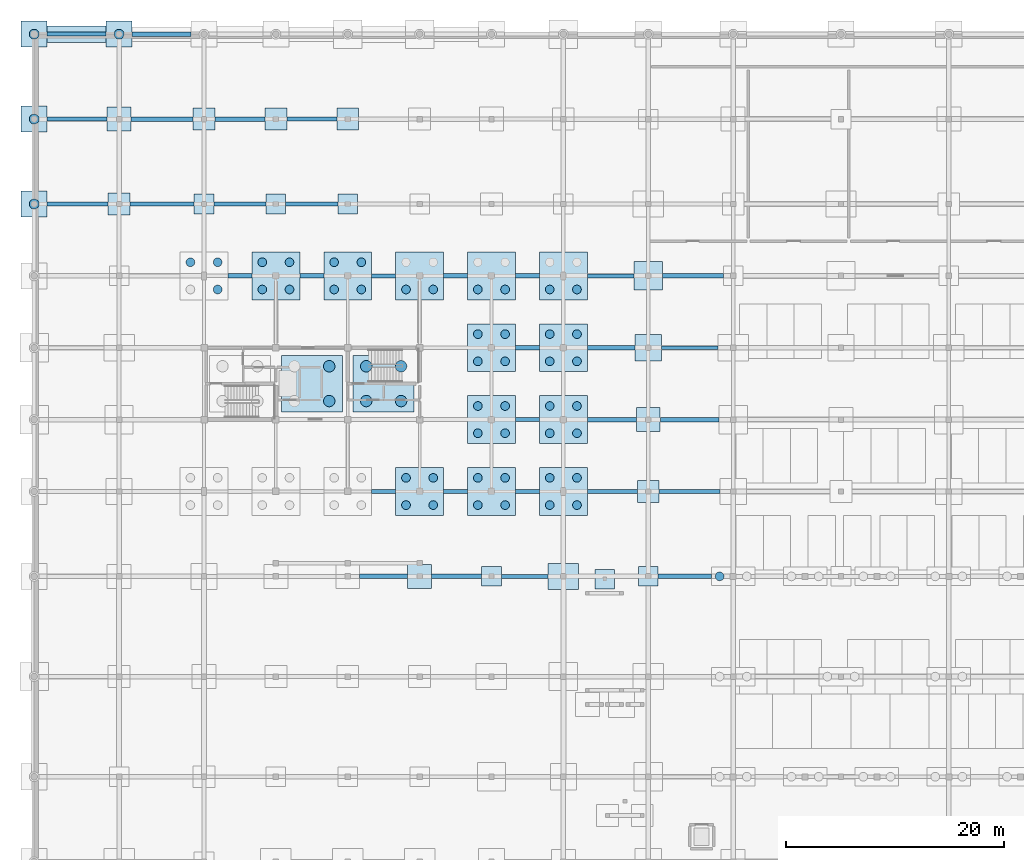
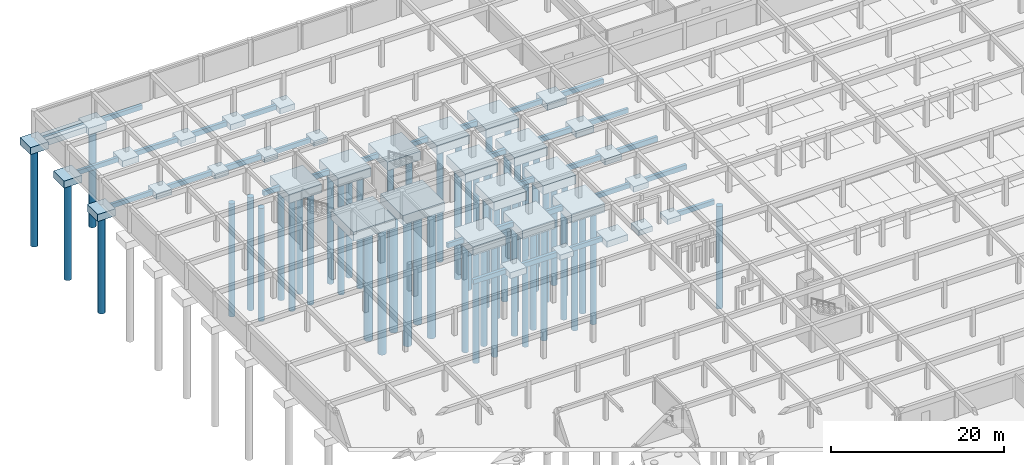
# One storey, part 5 of 37: 68 footings, 56 piles.
"""IFC4 building model written with IfcOpenShell, lengths in metres."""

from ifc_helpers import new_model, si_unit, direction, frame, origin, origin_2d, place, context, subcontext, project, spatial, rectangle, circle, extrude, material, material_profile, profile_set, type_object, element, save


model = new_model("IFC4")

# Units and contexts
model_context = context("Model", 3, precision=1e-05, world=origin(), true_north=direction((0.0, 1.0)))
body_context = subcontext(model_context, "Body", "Model", "MODEL_VIEW")
ifc_project = project(units=[si_unit("LENGTHUNIT", "METRE"), si_unit("AREAUNIT", "SQUARE_METRE"), si_unit("VOLUMEUNIT", "CUBIC_METRE"), si_unit("PLANEANGLEUNIT", "RADIAN"), si_unit("MASSUNIT", "GRAM", prefix="KILO")], contexts=[model_context])

# Site, building, storey
site_placement = place(None, origin())
site = spatial("IfcSite", under=ifc_project, at=site_placement, CompositionType="ELEMENT")
building_placement = place(site_placement, origin())
building = spatial("IfcBuilding", under=site, at=building_placement, Name="Kernevlak Ridge Housing Community", CompositionType="ELEMENT")
storey_placement = place(building_placement, frame((0.0, 0.0, -3.800048828125)))
storey = spatial("IfcBuildingStorey", under=building, at=storey_placement, Name="B1", CompositionType="ELEMENT", Elevation=-3.800048828125)

# Piles
ifc_material = material(Name="Concrete C35/45", Category="concrete")
ifc_material_profile_1 = material_profile(ifc_material, circle(Radius=0.39990234375, at=origin_2d()), Name="BORED PILE 800")
ifc_profile_set_1 = profile_set([ifc_material_profile_1], Name="Concrete C35/45")
pile_type_1 = type_object("IfcPileType", Name="BP-01", PredefinedType="BORED", material=ifc_profile_set_1)
for number, where, z_axis, x_axis, name in (
    (1, (16.85009765625, 94.550048828125, -1.599853515625), (0.0, 0.0, -1.0), (1.0, 0.0, 0.0), "Bored pile BP-01 PILE-0078"),
    (2, (14.35009765625, 97.050048828125, -1.599853515625), (0.0, 0.0, -1.0), (1.0, 0.0, 0.0), "Bored pile BP-01 PILE-0079"),
    (3, (16.85009765625, 97.050048828125, -1.599853515625), (0.0, 0.0, -1.0), (1.0, 0.0, 0.0), "Bored pile BP-01 PILE-0080"),
    (4, (20.949951171875, 94.550048828125, -1.599853515625), (0.0, 0.0, -1.0), (1.0, 0.0, 0.0), "Bored pile BP-01 PILE-0091"),
    (5, (23.449951171875, 94.550048828125, -1.599853515625), (0.0, 0.0, -1.0), (1.0, 0.0, 0.0), "Bored pile BP-01 PILE-0092"),
    (6, (20.949951171875, 97.050048828125, -1.599853515625), (0.0, 0.0, -1.0), (1.0, 0.0, 0.0), "Bored pile BP-01 PILE-0093"),
    (7, (23.449951171875, 97.050048828125, -1.599853515625), (0.0, 0.0, -1.0), (1.0, 0.0, 0.0), "Bored pile BP-01 PILE-0094"),
    (8, (27.550048828125, 94.550048828125, -1.599853515625), (0.0, 0.0, -1.0), (1.0, 0.0, 0.0), "Bored pile BP-01 PILE-0105"),
    (9, (30.050048828125, 94.550048828125, -1.599853515625), (0.0, 0.0, -1.0), (1.0, 0.0, 0.0), "Bored pile BP-01 PILE-0106"),
    (10, (27.550048828125, 97.050048828125, -1.599853515625), (0.0, 0.0, -1.0), (1.0, 0.0, 0.0), "Bored pile BP-01 PILE-0107"),
    (11, (30.050048828125, 97.050048828125, -1.599853515625), (0.0, 0.0, -1.0), (1.0, 0.0, 0.0), "Bored pile BP-01 PILE-0108"),
    (12, (34.14990234375, 74.75, -1.599853515625), (0.0, 0.0, -1.0), (1.0, 0.0, 0.0), "Bored pile BP-01 PILE-0115"),
    (13, (36.64990234375, 74.75, -1.599853515625), (0.0, 0.0, -1.0), (1.0, 0.0, 0.0), "Bored pile BP-01 PILE-0116"),
    (14, (34.14990234375, 77.25, -1.599853515625), (0.0, 0.0, -1.0), (1.0, 0.0, 0.0), "Bored pile BP-01 PILE-0117"),
    (15, (36.64990234375, 77.25, -1.599853515625), (0.0, 0.0, -1.0), (1.0, 0.0, 0.0), "Bored pile BP-01 PILE-0118"),
    (16, (34.14990234375, 94.550048828125, -1.599853515625), (0.0, 0.0, -1.0), (1.0, 0.0, 0.0), "Bored pile BP-01 PILE-0119"),
    (17, (36.64990234375, 94.550048828125, -1.599853515625), (0.0, 0.0, -1.0), (1.0, 0.0, 0.0), "Bored pile BP-01 PILE-0120"),
    (18, (40.75, 74.75, -1.599853515625), (0.0, 0.0, -1.0), (1.0, 0.0, 0.0), "Bored pile BP-01 PILE-0133"),
    (19, (43.25, 74.75, -1.599853515625), (0.0, 0.0, -1.0), (1.0, 0.0, 0.0), "Bored pile BP-01 PILE-0134"),
    (20, (40.75, 77.25, -1.599853515625), (0.0, 0.0, -1.0), (1.0, 0.0, 0.0), "Bored pile BP-01 PILE-0135"),
    (21, (43.25, 77.25, -1.599853515625), (0.0, 0.0, -1.0), (1.0, 0.0, 0.0), "Bored pile BP-01 PILE-0136"),
    (22, (40.75, 81.35009765625, -1.599853515625), (0.0, 0.0, -1.0), (1.0, 0.0, 0.0), "Bored pile BP-01 PILE-0137"),
    (23, (43.25, 81.35009765625, -1.599853515625), (0.0, 0.0, -1.0), (1.0, 0.0, 0.0), "Bored pile BP-01 PILE-0138"),
    (24, (40.75, 83.85009765625, -1.599853515625), (0.0, 0.0, -1.0), (1.0, 0.0, 0.0), "Bored pile BP-01 PILE-0139"),
    (25, (43.25, 83.85009765625, -1.599853515625), (0.0, 0.0, -1.0), (1.0, 0.0, 0.0), "Bored pile BP-01 PILE-0140"),
    (26, (40.75, 87.949951171875, -1.599853515625), (0.0, 0.0, -1.0), (1.0, 0.0, 0.0), "Bored pile BP-01 PILE-0141"),
    (27, (43.25, 87.949951171875, -1.599853515625), (0.0, 0.0, -1.0), (1.0, 0.0, 0.0), "Bored pile BP-01 PILE-0142"),
    (28, (40.75, 90.449951171875, -1.599853515625), (0.0, 0.0, -1.0), (1.0, 0.0, 0.0), "Bored pile BP-01 PILE-0143"),
    (29, (43.25, 90.449951171875, -1.599853515625), (0.0, 0.0, -1.0), (1.0, 0.0, 0.0), "Bored pile BP-01 PILE-0144"),
    (30, (40.75, 94.550048828125, -1.599853515625), (0.0, 0.0, -1.0), (1.0, 0.0, 0.0), "Bored pile BP-01 PILE-0145"),
    (31, (43.25, 94.550048828125, -1.599853515625), (0.0, 0.0, -1.0), (1.0, 0.0, 0.0), "Bored pile BP-01 PILE-0146"),
    (32, (47.35009765625, 74.75, -1.599853515625), (0.0, 0.0, -1.0), (1.0, 0.0, 0.0), "Bored pile BP-01 PILE-0151"),
    (33, (49.85009765625, 74.75, -1.599853515625), (0.0, 0.0, -1.0), (1.0, 0.0, 0.0), "Bored pile BP-01 PILE-0152"),
    (34, (47.35009765625, 77.25, -1.599853515625), (0.0, 0.0, -1.0), (1.0, 0.0, 0.0), "Bored pile BP-01 PILE-0153"),
    (35, (49.85009765625, 77.25, -1.599853515625), (0.0, 0.0, -1.0), (1.0, 0.0, 0.0), "Bored pile BP-01 PILE-0154"),
    (36, (47.35009765625, 81.35009765625, -1.599853515625), (0.0, 0.0, -1.0), (1.0, 0.0, 0.0), "Bored pile BP-01 PILE-0155"),
    (37, (49.85009765625, 81.35009765625, -1.599853515625), (0.0, 0.0, -1.0), (1.0, 0.0, 0.0), "Bored pile BP-01 PILE-0156"),
    (38, (47.35009765625, 83.85009765625, -1.599853515625), (0.0, 0.0, -1.0), (1.0, 0.0, 0.0), "Bored pile BP-01 PILE-0157"),
    (39, (49.85009765625, 83.85009765625, -1.599853515625), (0.0, 0.0, -1.0), (1.0, 0.0, 0.0), "Bored pile BP-01 PILE-0158"),
    (40, (47.35009765625, 87.949951171875, -1.599853515625), (0.0, 0.0, -1.0), (1.0, 0.0, 0.0), "Bored pile BP-01 PILE-0159"),
    (41, (49.85009765625, 87.949951171875, -1.599853515625), (0.0, 0.0, -1.0), (1.0, 0.0, 0.0), "Bored pile BP-01 PILE-0160"),
    (42, (47.35009765625, 90.449951171875, -1.599853515625), (0.0, 0.0, -1.0), (1.0, 0.0, 0.0), "Bored pile BP-01 PILE-0161"),
    (43, (49.85009765625, 90.449951171875, -1.599853515625), (0.0, 0.0, -1.0), (1.0, 0.0, 0.0), "Bored pile BP-01 PILE-0162"),
    (44, (47.35009765625, 94.550048828125, -1.599853515625), (0.0, 0.0, -1.0), (1.0, 0.0, 0.0), "Bored pile BP-01 PILE-0163"),
    (45, (49.85009765625, 94.550048828125, -1.599853515625), (0.0, 0.0, -1.0), (1.0, 0.0, 0.0), "Bored pile BP-01 PILE-0164"),
):
    element("IfcPile", number, at=place(storey_placement, frame(where, z_axis=z_axis, x_axis=x_axis)), inside=storey, type_object=pile_type_1, Name=name, PredefinedType="BORED", context=body_context, shape_type="SweptSolid", body=[
        extrude(circle(Radius=0.39990234375, at=origin_2d()), origin(), (0.0, 0.0, 1.0), 16.0),
    ])
pile_placement = place(storey_placement, frame((62.949951171875, 68.199951171875, -1.5), z_axis=(0.0, 0.0, -1.0), x_axis=(1.0, 0.0, 0.0)))
element("IfcPile", 46, at=pile_placement, inside=storey, type_object=pile_type_1, Name="Bored pile BP-01 PILE-0175", PredefinedType="BORED", context=body_context, shape_type="SweptSolid", body=[
    extrude(circle(Radius=0.39990234375, at=origin_2d()), origin(), (0.0, 0.0, 1.0), 14.5),
])
ifc_material_profile_2 = material_profile(ifc_material, circle(Radius=0.449951171875, at=origin_2d()), Name="BORED PILE 900")
ifc_profile_set_2 = profile_set([ifc_material_profile_2], Name="Concrete C35/45")
pile_type_2 = type_object("IfcPileType", Name="BP-02", PredefinedType="BORED", material=ifc_profile_set_2)
for number, where, z_axis, x_axis, name in (
    (47, (0.0, 102.39990234375, -1.349853515625), (0.0, 0.0, -1.0), (1.0, 0.0, 0.0), "Bored pile BP-02 PILE-0063"),
    (48, (0.0, 110.199951171875, -1.349853515625), (0.0, 0.0, -1.0), (1.0, 0.0, 0.0), "Bored pile BP-02 PILE-0064"),
    (49, (0.0, 118.0, -1.349853515625), (0.0, 0.0, -1.0), (1.0, 0.0, 0.0), "Bored pile BP-02 PILE-0065"),
    (50, (7.800048828125, 118.0, -1.349853515625), (0.0, 0.0, -1.0), (1.0, 0.0, 0.0), "Bored pile BP-02 PILE-0067"),
):
    element("IfcPile", number, at=place(storey_placement, frame(where, z_axis=z_axis, x_axis=x_axis)), inside=storey, type_object=pile_type_2, Name=name, PredefinedType="BORED", context=body_context, shape_type="SweptSolid", body=[
        extrude(circle(Radius=0.449951171875, at=origin_2d()), origin(), (0.0, 0.0, 1.0), 14.0),
    ])
ifc_material_profile_3 = material_profile(ifc_material, circle(Radius=0.52490234375, at=origin_2d()), Name="BORED PILE 1050")
ifc_profile_set_3 = profile_set([ifc_material_profile_3], Name="Concrete C35/45")
pile_type_3 = type_object("IfcPileType", Name="BP-03", PredefinedType="BORED", material=ifc_profile_set_3)
for number, where, z_axis, x_axis, name in (
    (51, (27.10009765625, 84.300048828125, -1.64990234375), (0.0, 0.0, -1.0), (1.0, 0.0, 0.0), "Bored pile BP-03 PILE-0006"),
    (52, (27.10009765625, 87.5, -1.64990234375), (0.0, 0.0, -1.0), (1.0, 0.0, 0.0), "Bored pile BP-03 PILE-0008"),
    (53, (30.5, 84.300048828125, -1.64990234375), (0.0, 0.0, -1.0), (1.0, 0.0, 0.0), "Bored pile BP-03 PILE-0009"),
    (54, (33.699951171875, 84.300048828125, -1.64990234375), (0.0, 0.0, -1.0), (1.0, 0.0, 0.0), "Bored pile BP-03 PILE-0010"),
    (55, (30.5, 87.5, -1.64990234375), (0.0, 0.0, -1.0), (1.0, 0.0, 0.0), "Bored pile BP-03 PILE-0011"),
    (56, (33.699951171875, 87.5, -1.64990234375), (0.0, 0.0, -1.0), (1.0, 0.0, 0.0), "Bored pile BP-03 PILE-0012"),
):
    element("IfcPile", number, at=place(storey_placement, frame(where, z_axis=z_axis, x_axis=x_axis)), inside=storey, type_object=pile_type_3, Name=name, PredefinedType="BORED", context=body_context, shape_type="SweptSolid", body=[
        extrude(circle(Radius=0.52490234375, at=origin_2d()), origin(), (0.0, 0.0, 1.0), 18.0),
    ])

# Footings
ifc_material_profile_4 = material_profile(ifc_material, rectangle(XDim=0.39990234375, YDim=0.699951171875, at=origin_2d()), Name="RC 400x700")
ifc_profile_set_4 = profile_set([ifc_material_profile_4], Name="Concrete C35/45")
footing_type_1 = type_object("IfcFootingType", Name="FB-01", PredefinedType="FOOTING_BEAM", material=ifc_profile_set_4)
footing_1_placement = place(storey_placement, frame((36.5, 68.199951171875, -0.800048828125), z_axis=(1.0, 0.0, 0.0), x_axis=(0.0, 1.0, 0.0)))
element("IfcFooting", 57, at=footing_1_placement, inside=storey, type_object=footing_type_1, Name="Ground tie beam FB-01 174", PredefinedType="FOOTING_BEAM", context=body_context, shape_type="SweptSolid", body=[
    extrude(rectangle(XDim=0.39990234375, YDim=0.699951171875, at=origin_2d()), origin(), (0.0, 0.0, 1.0), 4.60009765625),
])
footing_2_placement = place(storey_placement, frame((44.199951171875, 76.0, -0.800048828125), z_axis=(1.0, 0.0, 0.0), x_axis=(0.0, 1.0, 0.0)))
element("IfcFooting", 58, at=footing_2_placement, inside=storey, type_object=footing_type_1, Name="Ground tie beam FB-01 195", PredefinedType="FOOTING_BEAM", context=body_context, shape_type="SweptSolid", body=[
    extrude(rectangle(XDim=0.39990234375, YDim=0.699951171875, at=origin_2d()), origin(), (0.0, 0.0, 1.0), 2.199951171875),
])
footing_3_placement = place(storey_placement, frame((57.5, 82.60009765625, -0.800048828125), z_axis=(1.0, 0.0, 0.0), x_axis=(0.0, 1.0, 0.0)))
element("IfcFooting", 59, at=footing_3_placement, inside=storey, type_object=footing_type_1, Name="Ground tie beam FB-01 213", PredefinedType="FOOTING_BEAM", context=body_context, shape_type="SweptSolid", body=[
    extrude(rectangle(XDim=0.39990234375, YDim=0.699951171875, at=origin_2d()), origin(), (0.0, 0.0, 1.0), 5.39990234375),
])
footing_4_placement = place(storey_placement, frame((50.800048828125, 89.199951171875, -0.800048828125), z_axis=(1.0, 0.0, 0.0), x_axis=(0.0, 1.0, 0.0)))
element("IfcFooting", 60, at=footing_4_placement, inside=storey, type_object=footing_type_1, Name="Ground tie beam FB-01 228", PredefinedType="FOOTING_BEAM", context=body_context, shape_type="SweptSolid", body=[
    extrude(rectangle(XDim=0.39990234375, YDim=0.699951171875, at=origin_2d()), origin(), (0.0, 0.0, 1.0), 4.39990234375),
])
footing_5_placement = place(storey_placement, frame((24.39990234375, 95.800048828125, -0.800048828125), z_axis=(1.0, 0.0, 0.0), x_axis=(0.0, 1.0, 0.0)))
element("IfcFooting", 61, at=footing_5_placement, inside=storey, type_object=footing_type_1, Name="Ground tie beam FB-01 240", PredefinedType="FOOTING_BEAM", context=body_context, shape_type="SweptSolid", body=[
    extrude(rectangle(XDim=0.39990234375, YDim=0.699951171875, at=origin_2d()), origin(), (0.0, 0.0, 1.0), 2.2001953125),
])
footing_6_placement = place(storey_placement, frame((44.199951171875, 95.800048828125, -0.800048828125), z_axis=(1.0, 0.0, 0.0), x_axis=(0.0, 1.0, 0.0)))
element("IfcFooting", 62, at=footing_6_placement, inside=storey, type_object=footing_type_1, Name="Ground tie beam FB-01 243", PredefinedType="FOOTING_BEAM", context=body_context, shape_type="SweptSolid", body=[
    extrude(rectangle(XDim=0.39990234375, YDim=0.699951171875, at=origin_2d()), origin(), (0.0, 0.0, 1.0), 2.199951171875),
])
footing_7_placement = place(storey_placement, frame((16.5, 102.39990234375, -0.800048828125), z_axis=(1.0, 0.0, 0.0), x_axis=(0.0, 1.0, 0.0)))
element("IfcFooting", 63, at=footing_7_placement, inside=storey, type_object=footing_type_1, Name="Ground tie beam FB-01 255", PredefinedType="FOOTING_BEAM", context=body_context, shape_type="SweptSolid", body=[
    extrude(rectangle(XDim=0.39990234375, YDim=0.699951171875, at=origin_2d()), origin(), (0.0, 0.0, 1.0), 4.800048828125),
])
footing_8_placement = place(storey_placement, frame((16.60009765625, 110.199951171875, -0.800048828125), z_axis=(1.0, 0.0, 0.0), x_axis=(0.0, 1.0, 0.0)))
element("IfcFooting", 64, at=footing_8_placement, inside=storey, type_object=footing_type_1, Name="Ground tie beam FB-01 276", PredefinedType="FOOTING_BEAM", context=body_context, shape_type="SweptSolid", body=[
    extrude(rectangle(XDim=0.39990234375, YDim=0.699951171875, at=origin_2d()), origin(), (0.0, 0.0, 1.0), 4.599853515625),
])
ifc_material_profile_5 = material_profile(ifc_material, rectangle(XDim=0.35009765625, YDim=0.64990234375, at=origin_2d()), Name="RC 350x650")
ifc_profile_set_5 = profile_set([ifc_material_profile_5], Name="Concrete C35/45")
footing_type_2 = type_object("IfcFootingType", Name="FB-02", PredefinedType="FOOTING_BEAM", material=ifc_profile_set_5)
footing_9_placement = place(storey_placement, frame((42.89990234375, 68.199951171875, -0.77490234375), z_axis=(1.0, 0.0, 0.0), x_axis=(0.0, 1.0, 0.0)))
element("IfcFooting", 65, at=footing_9_placement, inside=storey, type_object=footing_type_2, Name="Ground tie beam FB-02 175", PredefinedType="FOOTING_BEAM", context=body_context, shape_type="SweptSolid", body=[
    extrude(rectangle(XDim=0.35009765625, YDim=0.64990234375, at=origin_2d()), origin(), (0.0, 0.0, 1.0), 4.300048828125),
])
footing_10_placement = place(storey_placement, frame((31.0, 76.0, -0.77490234375), z_axis=(1.0, 0.0, 0.0), x_axis=(0.0, 1.0, 0.0)))
element("IfcFooting", 66, at=footing_10_placement, inside=storey, type_object=footing_type_2, Name="Ground tie beam FB-02 193", PredefinedType="FOOTING_BEAM", context=body_context, shape_type="SweptSolid", body=[
    extrude(rectangle(XDim=0.35009765625, YDim=0.64990234375, at=origin_2d()), origin(), (0.0, 0.0, 1.0), 2.199951171875),
])
footing_11_placement = place(storey_placement, frame((50.800048828125, 76.0, -0.77490234375), z_axis=(1.0, 0.0, 0.0), x_axis=(0.0, 1.0, 0.0)))
element("IfcFooting", 67, at=footing_11_placement, inside=storey, type_object=footing_type_2, Name="Ground tie beam FB-02 196", PredefinedType="FOOTING_BEAM", context=body_context, shape_type="SweptSolid", body=[
    extrude(rectangle(XDim=0.35009765625, YDim=0.64990234375, at=origin_2d()), origin(), (0.0, 0.0, 1.0), 4.599853515625),
])
footing_12_placement = place(storey_placement, frame((44.199951171875, 82.60009765625, -0.77490234375), z_axis=(1.0, 0.0, 0.0), x_axis=(0.0, 1.0, 0.0)))
element("IfcFooting", 68, at=footing_12_placement, inside=storey, type_object=footing_type_2, Name="Ground tie beam FB-02 211", PredefinedType="FOOTING_BEAM", context=body_context, shape_type="SweptSolid", body=[
    extrude(rectangle(XDim=0.35009765625, YDim=0.64990234375, at=origin_2d()), origin(), (0.0, 0.0, 1.0), 2.199951171875),
])
footing_13_placement = place(storey_placement, frame((57.60009765625, 89.199951171875, -0.77490234375), z_axis=(1.0, 0.0, 0.0), x_axis=(0.0, 1.0, 0.0)))
element("IfcFooting", 69, at=footing_13_placement, inside=storey, type_object=footing_type_2, Name="Ground tie beam FB-02 229", PredefinedType="FOOTING_BEAM", context=body_context, shape_type="SweptSolid", body=[
    extrude(rectangle(XDim=0.35009765625, YDim=0.64990234375, at=origin_2d()), origin(), (0.0, 0.0, 1.0), 5.199951171875),
])
footing_14_placement = place(storey_placement, frame((31.0, 95.800048828125, -0.77490234375), z_axis=(1.0, 0.0, 0.0), x_axis=(0.0, 1.0, 0.0)))
element("IfcFooting", 70, at=footing_14_placement, inside=storey, type_object=footing_type_2, Name="Ground tie beam FB-02 241", PredefinedType="FOOTING_BEAM", context=body_context, shape_type="SweptSolid", body=[
    extrude(rectangle(XDim=0.35009765625, YDim=0.64990234375, at=origin_2d()), origin(), (0.0, 0.0, 1.0), 2.199951171875),
])
footing_15_placement = place(storey_placement, frame((50.800048828125, 95.800048828125, -0.77490234375), z_axis=(1.0, 0.0, 0.0), x_axis=(0.0, 1.0, 0.0)))
element("IfcFooting", 71, at=footing_15_placement, inside=storey, type_object=footing_type_2, Name="Ground tie beam FB-02 244", PredefinedType="FOOTING_BEAM", context=body_context, shape_type="SweptSolid", body=[
    extrude(rectangle(XDim=0.35009765625, YDim=0.64990234375, at=origin_2d()), origin(), (0.0, 0.0, 1.0), 4.300048828125),
])
footing_16_placement = place(storey_placement, frame((1.199951171875, 102.39990234375, -0.77490234375), z_axis=(1.0, 0.0, 0.0), x_axis=(0.0, 1.0, 0.0)))
element("IfcFooting", 72, at=footing_16_placement, inside=storey, type_object=footing_type_2, Name="Ground tie beam FB-02 253", PredefinedType="FOOTING_BEAM", context=body_context, shape_type="SweptSolid", body=[
    extrude(rectangle(XDim=0.35009765625, YDim=0.64990234375, at=origin_2d()), origin(), (0.0, 0.0, 1.0), 5.60009765625),
])
footing_17_placement = place(storey_placement, frame((23.10009765625, 102.39990234375, -0.77490234375), z_axis=(1.0, 0.0, 0.0), x_axis=(0.0, 1.0, 0.0)))
element("IfcFooting", 73, at=footing_17_placement, inside=storey, type_object=footing_type_2, Name="Ground tie beam FB-02 256", PredefinedType="FOOTING_BEAM", context=body_context, shape_type="SweptSolid", body=[
    extrude(rectangle(XDim=0.35009765625, YDim=0.64990234375, at=origin_2d()), origin(), (0.0, 0.0, 1.0), 4.7998046875),
])
footing_18_placement = place(storey_placement, frame((1.199951171875, 110.199951171875, -0.77490234375), z_axis=(1.0, 0.0, 0.0), x_axis=(0.0, 1.0, 0.0)))
element("IfcFooting", 74, at=footing_18_placement, inside=storey, type_object=footing_type_2, Name="Ground tie beam FB-02 274", PredefinedType="FOOTING_BEAM", context=body_context, shape_type="SweptSolid", body=[
    extrude(rectangle(XDim=0.35009765625, YDim=0.64990234375, at=origin_2d()), origin(), (0.0, 0.0, 1.0), 5.5),
])
footing_19_placement = place(storey_placement, frame((23.199951171875, 110.199951171875, -0.77490234375), z_axis=(1.0, 0.0, 0.0), x_axis=(0.0, 1.0, 0.0)))
element("IfcFooting", 75, at=footing_19_placement, inside=storey, type_object=footing_type_2, Name="Ground tie beam FB-02 277", PredefinedType="FOOTING_BEAM", context=body_context, shape_type="SweptSolid", body=[
    extrude(rectangle(XDim=0.35009765625, YDim=0.64990234375, at=origin_2d()), origin(), (0.0, 0.0, 1.0), 4.60009765625),
])
footing_20_placement = place(storey_placement, frame((1.199951171875, 118.0, -0.77490234375), z_axis=(1.0, 0.0, 0.0), x_axis=(0.0, 1.0, 0.0)))
element("IfcFooting", 76, at=footing_20_placement, inside=storey, type_object=footing_type_2, Name="Ground tie beam FB-02 295", PredefinedType="FOOTING_BEAM", context=body_context, shape_type="SweptSolid", body=[
    extrude(rectangle(XDim=0.35009765625, YDim=0.64990234375, at=origin_2d()), origin(), (0.0, 0.0, 1.0), 5.400146484375),
])
ifc_material_profile_6 = material_profile(ifc_material, rectangle(XDim=0.39990234375, YDim=0.64990234375, at=origin_2d()), Name="RC 400x650")
ifc_profile_set_6 = profile_set([ifc_material_profile_6], Name="Concrete C35/45")
footing_type_3 = type_object("IfcFootingType", Name="FB-03", PredefinedType="FOOTING_BEAM", material=ifc_profile_set_6)
footing_21_placement = place(storey_placement, frame((29.89990234375, 68.199951171875, -0.77490234375), z_axis=(1.0, 0.0, 0.0), x_axis=(0.0, 1.0, 0.0)))
element("IfcFooting", 77, at=footing_21_placement, inside=storey, type_object=footing_type_3, Name="Ground tie beam FB-03 173", PredefinedType="FOOTING_BEAM", context=body_context, shape_type="SweptSolid", body=[
    extrude(rectangle(XDim=0.39990234375, YDim=0.64990234375, at=origin_2d()), origin(), (0.0, 0.0, 1.0), 4.400146484375),
])
footing_22_placement = place(storey_placement, frame((57.300048828125, 68.199951171875, -0.77490234375), z_axis=(1.0, 0.0, 0.0), x_axis=(0.0, 1.0, 0.0)))
element("IfcFooting", 78, at=footing_22_placement, inside=storey, type_object=footing_type_3, Name="Ground tie beam FB-03 176", PredefinedType="FOOTING_BEAM", context=body_context, shape_type="SweptSolid", body=[
    extrude(rectangle(XDim=0.39990234375, YDim=0.64990234375, at=origin_2d()), origin(), (0.0, 0.0, 1.0), 4.89990234375),
])
footing_23_placement = place(storey_placement, frame((37.60009765625, 76.0, -0.77490234375), z_axis=(1.0, 0.0, 0.0), x_axis=(0.0, 1.0, 0.0)))
element("IfcFooting", 79, at=footing_23_placement, inside=storey, type_object=footing_type_3, Name="Ground tie beam FB-03 194", PredefinedType="FOOTING_BEAM", context=body_context, shape_type="SweptSolid", body=[
    extrude(rectangle(XDim=0.39990234375, YDim=0.64990234375, at=origin_2d()), origin(), (0.0, 0.0, 1.0), 2.199951171875),
])
footing_24_placement = place(storey_placement, frame((57.39990234375, 76.0, -0.77490234375), z_axis=(1.0, 0.0, 0.0), x_axis=(0.0, 1.0, 0.0)))
element("IfcFooting", 80, at=footing_24_placement, inside=storey, type_object=footing_type_3, Name="Ground tie beam FB-03 197", PredefinedType="FOOTING_BEAM", context=body_context, shape_type="SweptSolid", body=[
    extrude(rectangle(XDim=0.39990234375, YDim=0.64990234375, at=origin_2d()), origin(), (0.0, 0.0, 1.0), 5.60009765625),
])
footing_25_placement = place(storey_placement, frame((50.800048828125, 82.60009765625, -0.77490234375), z_axis=(1.0, 0.0, 0.0), x_axis=(0.0, 1.0, 0.0)))
element("IfcFooting", 81, at=footing_25_placement, inside=storey, type_object=footing_type_3, Name="Ground tie beam FB-03 212", PredefinedType="FOOTING_BEAM", context=body_context, shape_type="SweptSolid", body=[
    extrude(rectangle(XDim=0.39990234375, YDim=0.64990234375, at=origin_2d()), origin(), (0.0, 0.0, 1.0), 4.5),
])
for number, where, z_axis, x_axis, name in (
    (82, (44.199951171875, 89.199951171875, -0.77490234375), (1.0, 0.0, 0.0), (0.0, 1.0, 0.0), "Ground tie beam FB-03 227"),
    (83, (17.800048828125, 95.800048828125, -0.77490234375), (1.0, 0.0, 0.0), (0.0, 1.0, 0.0), "Ground tie beam FB-03 239"),
    (84, (37.60009765625, 95.800048828125, -0.77490234375), (1.0, 0.0, 0.0), (0.0, 1.0, 0.0), "Ground tie beam FB-03 242"),
):
    element("IfcFooting", number, at=place(storey_placement, frame(where, z_axis=z_axis, x_axis=x_axis)), inside=storey, type_object=footing_type_3, Name=name, PredefinedType="FOOTING_BEAM", context=body_context, shape_type="SweptSolid", body=[
        extrude(rectangle(XDim=0.39990234375, YDim=0.64990234375, at=origin_2d()), origin(), (0.0, 0.0, 1.0), 2.199951171875),
    ])
footing_26_placement = place(storey_placement, frame((57.699951171875, 95.800048828125, -0.77490234375), z_axis=(1.0, 0.0, 0.0), x_axis=(0.0, 1.0, 0.0)))
element("IfcFooting", 85, at=footing_26_placement, inside=storey, type_object=footing_type_3, Name="Ground tie beam FB-03 245", PredefinedType="FOOTING_BEAM", context=body_context, shape_type="SweptSolid", body=[
    extrude(rectangle(XDim=0.39990234375, YDim=0.64990234375, at=origin_2d()), origin(), (0.0, 0.0, 1.0), 5.60009765625),
])
footing_27_placement = place(storey_placement, frame((8.800048828125, 102.39990234375, -0.77490234375), z_axis=(1.0, 0.0, 0.0), x_axis=(0.0, 1.0, 0.0)))
element("IfcFooting", 86, at=footing_27_placement, inside=storey, type_object=footing_type_3, Name="Ground tie beam FB-03 254", PredefinedType="FOOTING_BEAM", context=body_context, shape_type="SweptSolid", body=[
    extrude(rectangle(XDim=0.39990234375, YDim=0.64990234375, at=origin_2d()), origin(), (0.0, 0.0, 1.0), 5.89990234375),
])
footing_28_placement = place(storey_placement, frame((8.89990234375, 110.199951171875, -0.77490234375), z_axis=(1.0, 0.0, 0.0), x_axis=(0.0, 1.0, 0.0)))
element("IfcFooting", 87, at=footing_28_placement, inside=storey, type_object=footing_type_3, Name="Ground tie beam FB-03 275", PredefinedType="FOOTING_BEAM", context=body_context, shape_type="SweptSolid", body=[
    extrude(rectangle(XDim=0.39990234375, YDim=0.64990234375, at=origin_2d()), origin(), (0.0, 0.0, 1.0), 5.7001953125),
])
footing_29_placement = place(storey_placement, frame((9.0, 118.0, -0.77490234375), z_axis=(1.0, 0.0, 0.0), x_axis=(0.0, 1.0, 0.0)))
element("IfcFooting", 88, at=footing_29_placement, inside=storey, type_object=footing_type_3, Name="Ground tie beam FB-03 296", PredefinedType="FOOTING_BEAM", context=body_context, shape_type="SweptSolid", body=[
    extrude(rectangle(XDim=0.39990234375, YDim=0.64990234375, at=origin_2d()), origin(), (0.0, 0.0, 1.0), 5.39990234375),
])
footing_type_4 = type_object("IfcFootingType", Name="FC-01", PredefinedType="PILE_CAP", material=ifc_material)
for number, where, z_axis, x_axis, name in (
    (89, (0.0, 102.39990234375, -1.449951171875), (0.0, 0.0, 1.0), (1.0, 0.0, 0.0), "Footing FC-01 FTG-CAP-027"),
    (90, (0.0, 110.199951171875, -1.449951171875), (0.0, 0.0, 1.0), (1.0, 0.0, 0.0), "Footing FC-01 FTG-CAP-028"),
    (91, (0.0, 118.0, -1.449951171875), (0.0, 0.0, 1.0), (1.0, 0.0, 0.0), "Footing FC-01 FTG-CAP-029"),
    (92, (7.800048828125, 118.0, -1.449951171875), (0.0, 0.0, 1.0), (1.0, 0.0, 0.0), "Footing FC-01 FTG-CAP-046"),
):
    element("IfcFooting", number, at=place(storey_placement, frame(where, z_axis=z_axis, x_axis=x_axis)), inside=storey, type_object=footing_type_4, Name=name, PredefinedType="PILE_CAP", context=body_context, shape_type="SweptSolid", body=[
        extrude(rectangle(XDim=2.39990234375, YDim=2.39990234375, at=origin_2d()), origin(), (0.0, 0.0, 1.0), 1.0),
    ])
footing_type_5 = type_object("IfcFootingType", Name="FC-04", PredefinedType="PILE_CAP", material=ifc_material)
for number, where, z_axis, x_axis, name in (
    (93, (22.199951171875, 95.800048828125, -1.699951171875), (0.0, 0.0, 1.0), (1.0, 0.0, 0.0), "Footing FC-04 FTG-CAP-069"),
    (94, (28.800048828125, 95.800048828125, -1.699951171875), (0.0, 0.0, 1.0), (1.0, 0.0, 0.0), "Footing FC-04 FTG-CAP-082"),
    (95, (35.39990234375, 76.0, -1.699951171875), (0.0, 0.0, 1.0), (1.0, 0.0, 0.0), "Footing FC-04 FTG-CAP-094"),
    (96, (35.39990234375, 95.800048828125, -1.699951171875), (0.0, 0.0, 1.0), (1.0, 0.0, 0.0), "Footing FC-04 FTG-CAP-095"),
    (97, (42.0, 76.0, -1.699951171875), (0.0, 0.0, 1.0), (1.0, 0.0, 0.0), "Footing FC-04 FTG-CAP-109"),
    (98, (42.0, 82.60009765625, -1.699951171875), (0.0, 0.0, 1.0), (1.0, 0.0, 0.0), "Footing FC-04 FTG-CAP-110"),
    (99, (42.0, 89.199951171875, -1.699951171875), (0.0, 0.0, 1.0), (1.0, 0.0, 0.0), "Footing FC-04 FTG-CAP-111"),
    (100, (42.0, 95.800048828125, -1.699951171875), (0.0, 0.0, 1.0), (1.0, 0.0, 0.0), "Footing FC-04 FTG-CAP-112"),
    (101, (48.60009765625, 76.0, -1.699951171875), (0.0, 0.0, 1.0), (1.0, 0.0, 0.0), "Footing FC-04 FTG-CAP-126"),
    (102, (48.60009765625, 82.60009765625, -1.699951171875), (0.0, 0.0, 1.0), (1.0, 0.0, 0.0), "Footing FC-04 FTG-CAP-127"),
    (103, (48.60009765625, 89.199951171875, -1.699951171875), (0.0, 0.0, 1.0), (1.0, 0.0, 0.0), "Footing FC-04 FTG-CAP-128"),
    (104, (48.60009765625, 95.800048828125, -1.699951171875), (0.0, 0.0, 1.0), (1.0, 0.0, 0.0), "Footing FC-04 FTG-CAP-129"),
):
    element("IfcFooting", number, at=place(storey_placement, frame(where, z_axis=z_axis, x_axis=x_axis)), inside=storey, type_object=footing_type_5, Name=name, PredefinedType="PILE_CAP", context=body_context, shape_type="SweptSolid", body=[
        extrude(rectangle(XDim=4.39990234375, YDim=4.39990234375, at=origin_2d()), origin(), (0.0, 0.0, 1.0), 1.25),
    ])
footing_type_6 = type_object("IfcFootingType", Name="FC-05", PredefinedType="PILE_CAP", material=ifc_material)
for number, where, z_axis, x_axis, name in (
    (105, (25.5, 85.89990234375, -1.75), (0.0, 0.0, 1.0), (1.0, 0.0, 0.0), "Footing FC-05 FTG-CAP-002"),
    (106, (32.10009765625, 85.89990234375, -1.75), (0.0, 0.0, 1.0), (1.0, 0.0, 0.0), "Footing FC-05 FTG-CAP-003"),
):
    element("IfcFooting", number, at=place(storey_placement, frame(where, z_axis=z_axis, x_axis=x_axis)), inside=storey, type_object=footing_type_6, Name=name, PredefinedType="PILE_CAP", context=body_context, shape_type="SweptSolid", body=[
        extrude(rectangle(XDim=5.60009765625, YDim=5.199951171875, at=origin_2d()), origin(), (0.0, 0.0, 1.0), 1.300048828125),
    ])
footing_type_7 = type_object("IfcFootingType", Name="PF-01", PredefinedType="PAD_FOOTING", material=ifc_material)
for number, where, z_axis, x_axis, name in (
    (107, (15.60009765625, 102.39990234375, -1.199951171875), (0.0, 0.0, 1.0), (1.0, 0.0, 0.0), "Footing PF-01 FTG-CAP-057"),
    (108, (22.199951171875, 102.39990234375, -1.199951171875), (0.0, 0.0, 1.0), (1.0, 0.0, 0.0), "Footing PF-01 FTG-CAP-070"),
    (109, (28.800048828125, 102.39990234375, -1.199951171875), (0.0, 0.0, 1.0), (1.0, 0.0, 0.0), "Footing PF-01 FTG-CAP-083"),
    (110, (42.0, 68.199951171875, -1.199951171875), (0.0, 0.0, 1.0), (1.0, 0.0, 0.0), "Footing PF-01 FTG-CAP-108"),
    (111, (52.39990234375, 67.949951171875, -1.199951171875), (0.0, 0.0, 1.0), (1.0, 0.0, 0.0), "Footing PF-01 FTG-CAP-134"),
    (112, (56.39990234375, 68.199951171875, -1.199951171875), (0.0, 0.0, 1.0), (1.0, 0.0, 0.0), "Footing PF-01 FTG-CAP-147"),
):
    element("IfcFooting", number, at=place(storey_placement, frame(where, z_axis=z_axis, x_axis=x_axis)), inside=storey, type_object=footing_type_7, Name=name, PredefinedType="PAD_FOOTING", context=body_context, shape_type="SweptSolid", body=[
        extrude(rectangle(XDim=1.800048828125, YDim=1.800048828125, at=origin_2d()), origin(), (0.0, 0.0, 1.0), 0.75),
    ])
footing_type_8 = type_object("IfcFootingType", Name="PF-02", PredefinedType="PAD_FOOTING", material=ifc_material)
for number, where, z_axis, x_axis, name in (
    (113, (7.800048828125, 102.39990234375, -1.25), (0.0, 0.0, 1.0), (1.0, 0.0, 0.0), "Footing PF-02 FTG-CAP-044"),
    (114, (15.60009765625, 110.199951171875, -1.25), (0.0, 0.0, 1.0), (1.0, 0.0, 0.0), "Footing PF-02 FTG-CAP-058"),
    (115, (22.199951171875, 110.199951171875, -1.25), (0.0, 0.0, 1.0), (1.0, 0.0, 0.0), "Footing PF-02 FTG-CAP-071"),
    (116, (28.800048828125, 110.199951171875, -1.25), (0.0, 0.0, 1.0), (1.0, 0.0, 0.0), "Footing PF-02 FTG-CAP-084"),
    (117, (56.39990234375, 76.0, -1.25), (0.0, 0.0, 1.0), (1.0, 0.0, 0.0), "Footing PF-02 FTG-CAP-148"),
):
    element("IfcFooting", number, at=place(storey_placement, frame(where, z_axis=z_axis, x_axis=x_axis)), inside=storey, type_object=footing_type_8, Name=name, PredefinedType="PAD_FOOTING", context=body_context, shape_type="SweptSolid", body=[
        extrude(rectangle(XDim=2.0, YDim=2.0, at=origin_2d()), origin(), (0.0, 0.0, 1.0), 0.800048828125),
    ])
footing_type_9 = type_object("IfcFootingType", Name="PF-03", PredefinedType="PAD_FOOTING", material=ifc_material)
for number, where, z_axis, x_axis, name in (
    (118, (7.800048828125, 110.199951171875, -1.300048828125), (0.0, 0.0, 1.0), (1.0, 0.0, 0.0), "Footing PF-03 FTG-CAP-045"),
    (119, (35.39990234375, 68.199951171875, -1.300048828125), (0.0, 0.0, 1.0), (1.0, 0.0, 0.0), "Footing PF-03 FTG-CAP-093"),
    (120, (56.39990234375, 82.60009765625, -1.300048828125), (0.0, 0.0, 1.0), (1.0, 0.0, 0.0), "Footing PF-03 FTG-CAP-149"),
):
    element("IfcFooting", number, at=place(storey_placement, frame(where, z_axis=z_axis, x_axis=x_axis)), inside=storey, type_object=footing_type_9, Name=name, PredefinedType="PAD_FOOTING", context=body_context, shape_type="SweptSolid", body=[
        extrude(rectangle(XDim=2.199951171875, YDim=2.199951171875, at=origin_2d()), origin(), (0.0, 0.0, 1.0), 0.85009765625),
    ])
footing_type_10 = type_object("IfcFootingType", Name="PF-04", PredefinedType="PAD_FOOTING", material=ifc_material)
footing_30_placement = place(storey_placement, frame((56.39990234375, 89.199951171875, -1.349853515625), z_axis=(0.0, 0.0, 1.0), x_axis=(1.0, 0.0, 0.0)))
element("IfcFooting", 121, at=footing_30_placement, inside=storey, type_object=footing_type_10, Name="Footing PF-04 FTG-CAP-150", PredefinedType="PAD_FOOTING", context=body_context, shape_type="SweptSolid", body=[
    extrude(rectangle(XDim=2.39990234375, YDim=2.39990234375, at=origin_2d()), origin(), (0.0, 0.0, 1.0), 0.89990234375),
])
footing_type_11 = type_object("IfcFootingType", Name="PF-05", PredefinedType="PAD_FOOTING", material=ifc_material)
footing_31_placement = place(storey_placement, frame((56.39990234375, 95.800048828125, -1.39990234375), z_axis=(0.0, 0.0, 1.0), x_axis=(1.0, 0.0, 0.0)))
element("IfcFooting", 122, at=footing_31_placement, inside=storey, type_object=footing_type_11, Name="Footing PF-05 FTG-CAP-151", PredefinedType="PAD_FOOTING", context=body_context, shape_type="SweptSolid", body=[
    extrude(rectangle(XDim=2.60009765625, YDim=2.60009765625, at=origin_2d()), origin(), (0.0, 0.0, 1.0), 0.949951171875),
])
footing_type_12 = type_object("IfcFootingType", Name="PF-06", PredefinedType="PAD_FOOTING", material=ifc_material)
footing_32_placement = place(storey_placement, frame((48.60009765625, 68.199951171875, -1.349853515625), z_axis=(0.0, 0.0, 1.0), x_axis=(1.0, 0.0, 0.0)))
element("IfcFooting", 123, at=footing_32_placement, inside=storey, type_object=footing_type_12, Name="Footing PF-06 FTG-CAP-125", PredefinedType="PAD_FOOTING", context=body_context, shape_type="SweptSolid", body=[
    extrude(rectangle(XDim=2.800048828125, YDim=2.39990234375, at=origin_2d()), origin(), (0.0, 0.0, 1.0), 0.89990234375),
])
footing_type_13 = type_object("IfcFootingType", Name="WF-02", PredefinedType="STRIP_FOOTING", material=ifc_material)
footing_33_placement = place(storey_placement, frame((3.89990234375, 118.0, -1.300048828125), z_axis=(0.0, 0.0, 1.0), x_axis=(1.0, 0.0, 0.0)))
element("IfcFooting", 124, at=footing_33_placement, inside=storey, type_object=footing_type_13, Name="Wall strip footing WF-02 7", PredefinedType="STRIP_FOOTING", context=body_context, shape_type="SweptSolid", body=[
    extrude(rectangle(XDim=5.39990234375, YDim=1.5, at=origin_2d()), origin(), (0.0, 0.0, 1.0), 0.85009765625),
])

save(model, "model.ifc")
